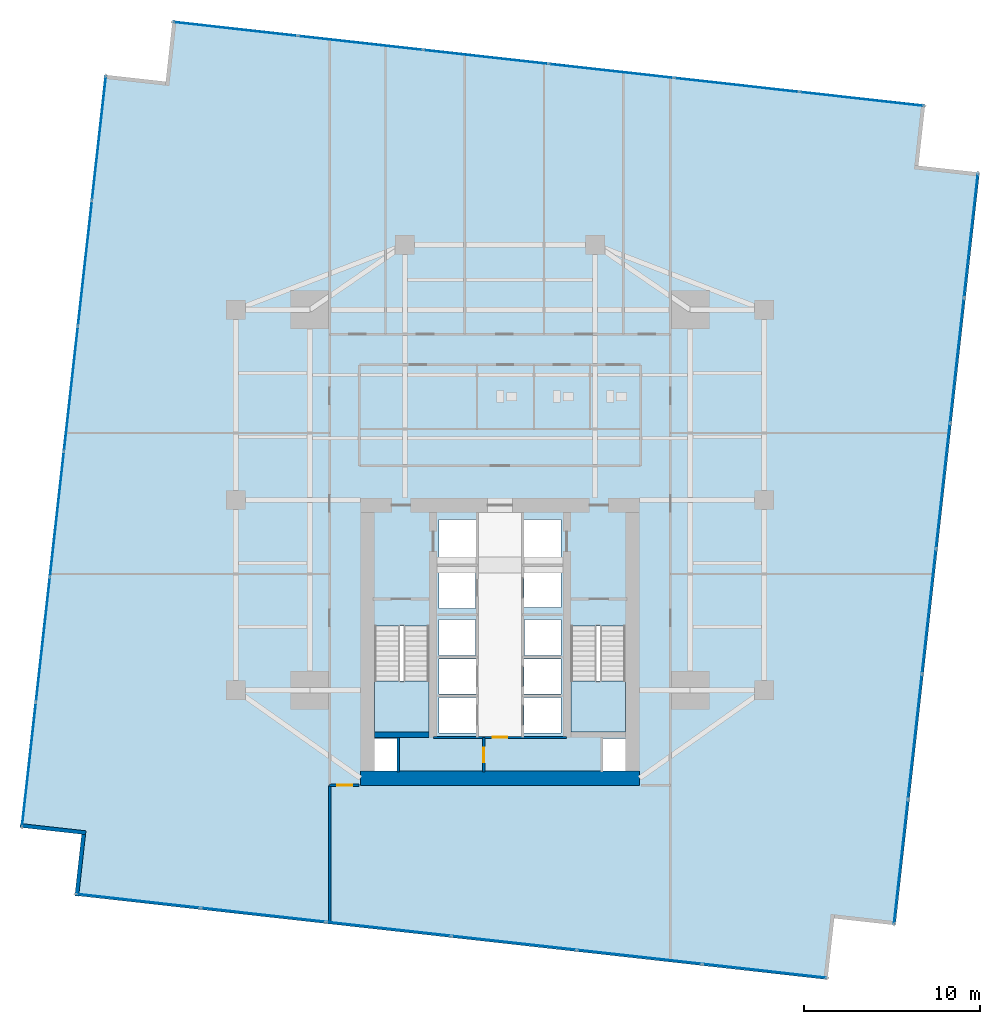
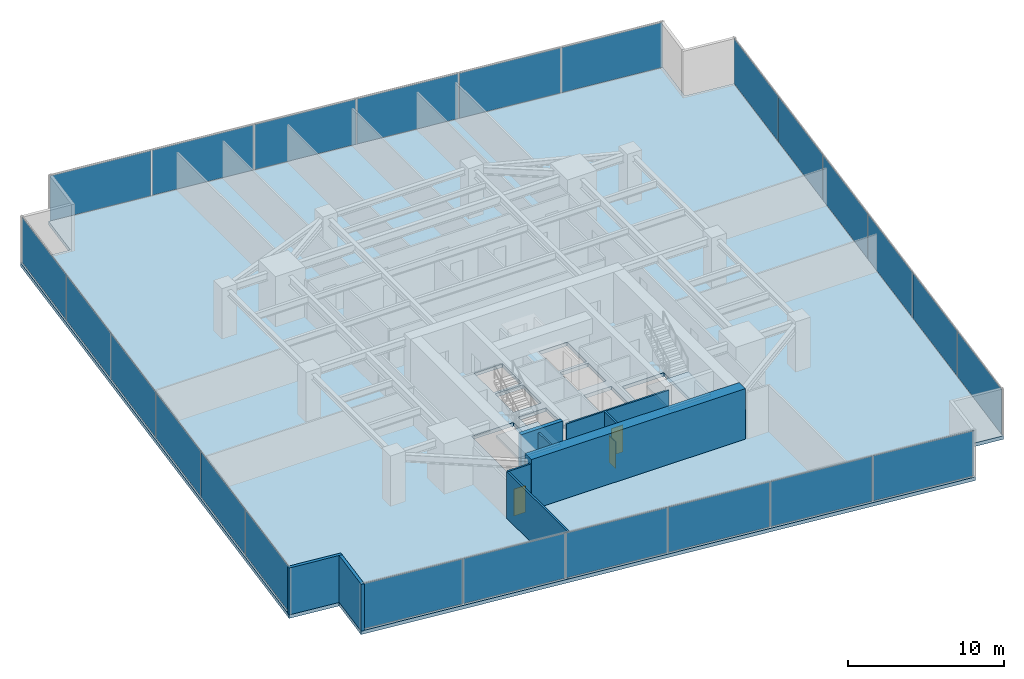
# One storey, part 24 of 28: 24 plates, 9 walls, 3 doors, 3 slabs, 3 openings, 6 elements without a shape of their own.
"""IFC4 building model written with IfcOpenShell, lengths in metres."""

import ifcopenshell
import ifcopenshell.guid

model = None  # the IFC model being written
_history = None  # IfcOwnerHistory: only IFC2X3 demands one
_inside = {}  # id of a spatial element -> (the spatial element, [elements in it])
_under = {}  # id of a project, library or spatial element -> (it, [spatial elements below it])
_declared = {}  # id of a project -> (the project, [libraries it declares])
_typed = {}  # id of a type object -> (the type object, [elements of that type])
_made_of = {}  # id of a material, layer set ... -> (it, [elements and type objects made of it])


def new_model(schema):
    """Start an empty IFC model of exactly this schema.

    Asked for "IFC4X3", IfcOpenShell would pick the latest addendum, in which some entities
    have other attributes; the version numbers below select the first issue.
    IFC2X3 requires an IfcOwnerHistory on every rooted entity: one is made here for all.
    """
    global model, _history
    if schema == "IFC4X3":
        model = ifcopenshell.file(schema_version=(4, 3, 0, 0))
    else:
        model = ifcopenshell.file(schema=schema)
    _inside.clear()
    _under.clear()
    _declared.clear()
    _typed.clear()
    _made_of.clear()
    _history = None
    if model.schema == "IFC2X3":
        org = make("IfcOrganization", Name="unknown")
        user = make(
            "IfcPersonAndOrganization",
            ThePerson=make("IfcPerson", FamilyName="unknown"),
            TheOrganization=org,
        )
        app = make(
            "IfcApplication",
            ApplicationDeveloper=org,
            Version="unknown",
            ApplicationFullName="unknown",
            ApplicationIdentifier="unknown",
        )
        _history = make(
            "IfcOwnerHistory",
            OwningUser=user,
            OwningApplication=app,
            ChangeAction="ADDED",
            CreationDate=0,
        )
    return model


def make(cls, **values):
    """One entity of the class cls with the attributes given. An attribute that is None is left unset."""
    return model.create_entity(
        cls, **{name: value for name, value in values.items() if value is not None}
    )


def rooted(cls, **values):
    """An entity with a GlobalId (a new one), such as an element, a storey or a relation."""
    return make(cls, GlobalId=ifcopenshell.guid.new(), OwnerHistory=_history, **values)


def si_unit(unit_type, name, prefix=None):
    """IfcSIUnit, for example si_unit("LENGTHUNIT", "METRE", prefix="MILLI")."""
    return make("IfcSIUnit", UnitType=unit_type, Prefix=prefix, Name=name)


def assignment(units):
    """IfcUnitAssignment: the units of a project."""
    return None if units is None else make("IfcUnitAssignment", Units=units)


def point(xyz):
    """IfcCartesianPoint."""
    return None if xyz is None else make("IfcCartesianPoint", Coordinates=xyz)


def direction(xyz):
    """IfcDirection."""
    return None if xyz is None else make("IfcDirection", DirectionRatios=xyz)


def frame(location, z_axis=None, x_axis=None):
    """IfcAxis2Placement3D, a coordinate frame: its origin and axes. An axis left out is left unset."""
    return make(
        "IfcAxis2Placement3D",
        Location=point(location),
        Axis=direction(z_axis),
        RefDirection=direction(x_axis),
    )


def frame_2d(location, x_axis=None):
    """IfcAxis2Placement2D, a coordinate frame in the plane: its origin and x axis."""
    return make(
        "IfcAxis2Placement2D", Location=point(location), RefDirection=direction(x_axis)
    )


def origin():
    """The frame at (0, 0, 0) with its axes left unset."""
    return frame((0.0, 0.0, 0.0))


def origin_2d():
    """The frame at (0, 0) in the plane with its x axis left unset."""
    return frame_2d((0.0, 0.0))


def place(relative_to, where):
    """IfcLocalPlacement: puts the frame where relative to a parent placement (None: the world)."""
    return make(
        "IfcLocalPlacement", PlacementRelTo=relative_to, RelativePlacement=where
    )


def context(
    kind, dimensions, precision=None, world=None, true_north=None, identifier=None
):
    """IfcGeometricRepresentationContext, for example the 3D "Model" context."""
    return make(
        "IfcGeometricRepresentationContext",
        ContextIdentifier=identifier,
        ContextType=kind,
        CoordinateSpaceDimension=dimensions,
        Precision=precision,
        WorldCoordinateSystem=world,
        TrueNorth=true_north,
    )


def subcontext(parent, identifier, kind, view, scale=None):
    """IfcGeometricRepresentationSubContext, for example "Body" below "Model"."""
    return make(
        "IfcGeometricRepresentationSubContext",
        ContextIdentifier=identifier,
        ContextType=kind,
        ParentContext=parent,
        TargetScale=scale,
        TargetView=view,
    )


def project(units=None, contexts=None):
    """IfcProject with its units and contexts."""
    return rooted(
        "IfcProject",
        Name="project",
        RepresentationContexts=contexts,
        UnitsInContext=assignment(units),
    )


def spatial(cls, under=None, at=None, **own):
    """A site, building, storey or space (cls), placed at a placement, below another one or the project."""
    s = rooted(cls, ObjectPlacement=at, **own)
    if under is not None:
        _under.setdefault(under.id(), (under, []))[1].append(s)
    return s


def polyline(points):
    """IfcPolyline through the points."""
    return make("IfcPolyline", Points=[point(p) for p in points])


def profile(cls, at=None, kind="AREA", **sizes):
    """A parametric profile (cls). Its sizes go by their IFC names, for example OverallWidth=200.0."""
    return make(cls, ProfileType=kind, Position=at, **sizes)


def rectangle(**sizes):
    """IfcRectangleProfileDef."""
    return profile("IfcRectangleProfileDef", **sizes)


def outline(outer, holes=None, kind="AREA"):
    """IfcArbitraryClosedProfileDef: a profile drawn as a closed curve; with holes, ...WithVoids."""
    if holes is None:
        return make("IfcArbitraryClosedProfileDef", ProfileType=kind, OuterCurve=outer)
    return make(
        "IfcArbitraryProfileDefWithVoids",
        ProfileType=kind,
        OuterCurve=outer,
        InnerCurves=holes,
    )


def extrude(swept, where, along, depth):
    """IfcExtrudedAreaSolid: the profile swept, set in the frame where, extruded along a direction by depth."""
    return make(
        "IfcExtrudedAreaSolid",
        SweptArea=swept,
        Position=where,
        ExtrudedDirection=direction(along),
        Depth=depth,
    )


def shape(context_of_items, identifier, shape_type, items):
    """IfcShapeRepresentation: the items that make up one representation, for example the "Body"."""
    return make(
        "IfcShapeRepresentation",
        ContextOfItems=context_of_items,
        RepresentationIdentifier=identifier,
        RepresentationType=shape_type,
        Items=items,
    )


def source(mapping_origin, context_of_items, identifier, shape_type, items):
    """IfcRepresentationMap: a shape defined once, which mapped items show again and again."""
    return make(
        "IfcRepresentationMap",
        MappingOrigin=mapping_origin,
        MappedRepresentation=shape(context_of_items, identifier, shape_type, items),
    )


def transform(
    local_origin,
    x_axis=None,
    y_axis=None,
    z_axis=None,
    scale=None,
    scale2=None,
    scale3=None,
    uniform=True,
):
    """IfcCartesianTransformationOperator3D, or its non-uniform kind. x_axis, y_axis, z_axis: its Axis1, 2, 3."""
    if uniform:
        return make(
            "IfcCartesianTransformationOperator3D",
            Axis1=direction(x_axis),
            Axis2=direction(y_axis),
            LocalOrigin=point(local_origin),
            Scale=scale,
            Axis3=direction(z_axis),
        )
    return make(
        "IfcCartesianTransformationOperator3DnonUniform",
        Axis1=direction(x_axis),
        Axis2=direction(y_axis),
        LocalOrigin=point(local_origin),
        Scale=scale,
        Axis3=direction(z_axis),
        Scale2=scale2,
        Scale3=scale3,
    )


def mapped(mapping_source, mapping_target):
    """IfcMappedItem: shows the shape of a source again, moved by a transform."""
    return make(
        "IfcMappedItem", MappingSource=mapping_source, MappingTarget=mapping_target
    )


def material(Name=None, Category=None):
    """IfcMaterial."""
    return make("IfcMaterial", Name=Name, Category=Category)


def layer(
    of_material, thickness, ventilated=None, Name=None, Category=None, Priority=None
):
    """IfcMaterialLayer: one layer of a wall or slab, of a material (None: an air gap)."""
    return make(
        "IfcMaterialLayer",
        Material=of_material,
        LayerThickness=thickness,
        IsVentilated=ventilated,
        Name=Name,
        Category=Category,
        Priority=Priority,
    )


def layer_set(layers, Name=None):
    """IfcMaterialLayerSet."""
    return make("IfcMaterialLayerSet", MaterialLayers=layers, LayerSetName=Name)


def made_of(thing, what):
    """Note that an element or type object is made of a material, layer set ...; save() writes the relation."""
    if what is not None:
        _made_of.setdefault(what.id(), (what, []))[1].append(thing)
    return thing


def type_object(cls, material=None, **own):
    """A type object (cls), such as IfcWallType, which elements share."""
    return made_of(rooted(cls, **own), material)


def type_shapes(of_type, sources):
    """Give a type object the sources (RepresentationMaps) that its elements show as mapped items."""
    of_type.RepresentationMaps = sources


def element(
    cls,
    number,
    at=None,
    inside=None,
    cuts=None,
    type_object=None,
    material=None,
    context=None,
    identifier="Body",
    shape_type=None,
    held_by="IfcProductDefinitionShape",
    body=None,
    shapes=None,
    **own,
):
    """One element of the class cls, such as IfcWall. Its Tag is "e" and its number.

    at: its placement. inside: the storey or other place that contains it. cuts: it is an
    opening in that element (IfcRelVoidsElement). A single representation is given by context,
    identifier, shape_type and body (its items); several are given by shapes. held_by: the class
    of the entity that holds the representations. save() writes the other relations.
    """
    e = rooted(cls, Tag="e%d" % number, ObjectPlacement=at, **own)
    if body is not None:
        shapes = [shape(context, identifier, shape_type, body)]
    if shapes is not None:
        e.Representation = make(held_by, Representations=shapes)
    if inside is not None:
        _inside.setdefault(inside.id(), (inside, []))[1].append(e)
    if cuts is not None:
        rooted(
            "IfcRelVoidsElement", RelatingBuildingElement=cuts, RelatedOpeningElement=e
        )
    if type_object is not None:
        _typed.setdefault(type_object.id(), (type_object, []))[1].append(e)
    return made_of(e, material)


def fill(opening, filler):
    """IfcRelFillsElement: the door or window that sits in an opening."""
    return rooted(
        "IfcRelFillsElement",
        RelatingOpeningElement=opening,
        RelatedBuildingElement=filler,
    )


def aggregate(whole, parts):
    """IfcRelAggregates: a whole, such as a stair, and the parts it consists of."""
    return rooted("IfcRelAggregates", RelatingObject=whole, RelatedObjects=parts)


def save(model, path):
    """Write the relations noted so far, then the file.

    IfcRelAggregates (storeys below a building ...), IfcRelContainedInSpatialStructure (elements
    in a storey), IfcRelDefinesByType, IfcRelAssociatesMaterial and IfcRelDeclares: one each for
    every whole, place, type object, material and project.
    """
    for whole, parts in _under.values():
        aggregate(whole, parts)
    for where, things in _inside.values():
        rooted(
            "IfcRelContainedInSpatialStructure",
            RelatedElements=things,
            RelatingStructure=where,
        )
    for kind, things in _typed.values():
        rooted("IfcRelDefinesByType", RelatedObjects=things, RelatingType=kind)
    for what, things in _made_of.values():
        rooted("IfcRelAssociatesMaterial", RelatedObjects=things, RelatingMaterial=what)
    for by, libraries in _declared.values():
        rooted("IfcRelDeclares", RelatingContext=by, RelatedDefinitions=libraries)
    model.write(path)


model = new_model("IFC4")

# Units and contexts
model_context = context("Model", 3, precision=1e-05, world=origin(), true_north=direction((0.0, 1.0)))
body_context = subcontext(model_context, "Body", "Model", "MODEL_VIEW")
ifc_project = project(units=[si_unit("LENGTHUNIT", "METRE"), si_unit("AREAUNIT", "SQUARE_METRE"), si_unit("VOLUMEUNIT", "CUBIC_METRE"), si_unit("PLANEANGLEUNIT", "RADIAN"), si_unit("MASSUNIT", "GRAM", prefix="KILO")], contexts=[model_context])

# Site, building, storey
site_placement = place(None, origin())
site = spatial("IfcSite", under=ifc_project, at=site_placement, CompositionType="ELEMENT")
building_placement = place(site_placement, origin())
building = spatial("IfcBuilding", under=site, at=building_placement, Name="Krantzveldt Concourse Tower", CompositionType="ELEMENT")
storey_placement = place(building_placement, frame((0.0, 0.0, 64.5)))
storey = spatial("IfcBuildingStorey", under=building, at=storey_placement, Name="L15", CompositionType="ELEMENT", Elevation=64.5)

# Stair, slab
ifc_material_1 = material(Name="Precast concrete C40/50", Category="concrete")
stair_type = type_object("IfcStairType", Name="STR-CORE-DOGLEG", PredefinedType="HALF_TURN_STAIR", material=ifc_material_1)
stair_1_placement = place(storey_placement, origin())
stair_1 = element("IfcStair", 1, at=stair_1_placement, inside=storey, type_object=stair_type, Name="L15 Protected Escape Stair ST-1", PredefinedType="HALF_TURN_STAIR")
ifc_layer_1 = layer(ifc_material_1, 0.199951171875, Name="Precast concrete C40/50", Category="concrete")
ifc_layer_set_1 = layer_set([ifc_layer_1], Name="Precast concrete C40/50 (SL-LANDING-200)")
slab_type_1 = type_object("IfcSlabType", Name="SL-LANDING-200", PredefinedType="LANDING", material=ifc_layer_set_1)
slab_1_placement = place(storey_placement, frame((0.0, 0.0, 1.77490234375)))
slab_1 = element("IfcSlab", 2, at=slab_1_placement, type_object=slab_type_1, Name="ST-1 landing 1", PredefinedType="LANDING", context=body_context, shape_type="SweptSolid", body=[
    extrude(outline(polyline([(28.8798828125, 16.4150390625), (28.8798828125, 13.52001953125), (31.97998046875, 13.52001953125), (31.97998046875, 16.4150390625), (28.8798828125, 16.4150390625)])), origin(), (0.0, 0.0, 1.0), 0.2001953125),
])
aggregate(stair_1, [slab_1])

stair_2_placement = place(storey_placement, origin())
stair_2 = element("IfcStair", 3, at=stair_2_placement, inside=storey, type_object=stair_type, Name="L15 Protected Escape Stair ST-2", PredefinedType="HALF_TURN_STAIR")
slab_2_placement = place(storey_placement, frame((0.0, 0.0, 1.77490234375)))
slab_2 = element("IfcSlab", 4, at=slab_2_placement, type_object=slab_type_1, Name="ST-2 landing 1", PredefinedType="LANDING", context=body_context, shape_type="SweptSolid", body=[
    extrude(outline(polyline([(40.02001953125, 16.4150390625), (40.02001953125, 13.52001953125), (43.1201171875, 13.52001953125), (43.1201171875, 16.4150390625), (40.02001953125, 16.4150390625)])), origin(), (0.0, 0.0, 1.0), 0.2001953125),
])
aggregate(stair_2, [slab_2])

# Slab
ifc_material_2 = material(Name="Concrete C40/50", Category="concrete")
ifc_layer_2 = layer(ifc_material_2, 0.280029296875, Name="Concrete C40/50", Category="concrete")
ifc_layer_set_2 = layer_set([ifc_layer_2], Name="Concrete C40/50 (SL-SL-TWR280)")
slab_type_2 = type_object("IfcSlabType", Name="SL-SL-TWR280", PredefinedType="FLOOR", material=ifc_layer_set_2)
slab_3_placement = place(storey_placement, frame((0.0, 0.0, -0.280029296875)))
element("IfcSlab", 5, at=slab_3_placement, inside=storey, type_object=slab_type_2, Name="SL-L15-MAIN", PredefinedType="FLOOR", context=body_context, shape_type="SweptSolid", body=[
    extrude(outline(polyline([(17.020263671875, 50.454345703125), (13.541748046875, 50.843017578125), (8.767333984375, 8.10888671875), (12.24560546875, 7.72021484375), (11.857177734375, 4.241943359375), (54.591064453125, -0.53271484375), (54.979736328125, 2.94580078125), (58.458251953125, 2.55712890625), (63.232666015625, 45.291259765625), (59.75439453125, 45.6796875), (60.142822265625, 49.158203125), (17.408935546875, 53.9326171875), (17.020263671875, 50.454345703125)]), holes=[polyline([(28.8798828125, 19.547607421875), (28.8798828125, 13.52001953125), (31.97998046875, 13.52001953125), (31.97998046875, 19.547607421875), (28.8798828125, 19.547607421875)]), polyline([(40.02001953125, 19.547607421875), (40.02001953125, 13.52001953125), (43.1201171875, 13.52001953125), (43.1201171875, 19.547607421875), (40.02001953125, 19.547607421875)]), polyline([(32.550048828125, 23.10009765625), (34.64990234375, 23.10009765625), (34.64990234375, 25.60009765625), (32.550048828125, 25.60009765625), (32.550048828125, 23.10009765625)]), polyline([(37.35009765625, 23.10009765625), (39.449951171875, 23.10009765625), (39.449951171875, 25.60009765625), (37.35009765625, 25.60009765625), (37.35009765625, 23.10009765625)]), polyline([(37.35009765625, 20.60009765625), (39.449951171875, 20.60009765625), (39.449951171875, 22.89990234375), (37.35009765625, 22.89990234375), (37.35009765625, 20.60009765625)]), polyline([(32.550048828125, 13.47998046875), (34.64990234375, 13.47998046875), (34.64990234375, 15.47998046875), (32.550048828125, 15.47998046875), (32.550048828125, 13.47998046875)]), polyline([(32.550048828125, 15.679931640625), (34.64990234375, 15.679931640625), (34.64990234375, 17.679931640625), (32.550048828125, 17.679931640625), (32.550048828125, 15.679931640625)]), polyline([(37.35009765625, 13.47998046875), (39.449951171875, 13.47998046875), (39.449951171875, 15.47998046875), (37.35009765625, 15.47998046875), (37.35009765625, 13.47998046875)]), polyline([(37.35009765625, 15.679931640625), (39.449951171875, 15.679931640625), (39.449951171875, 17.679931640625), (37.35009765625, 17.679931640625), (37.35009765625, 15.679931640625)]), polyline([(32.550048828125, 20.550048828125), (34.6201171875, 20.550048828125), (34.6201171875, 22.89990234375), (32.550048828125, 22.89990234375), (32.550048828125, 20.550048828125)]), polyline([(32.550048828125, 17.8798828125), (34.6201171875, 17.8798828125), (34.6201171875, 19.919921875), (32.550048828125, 19.919921875), (32.550048828125, 17.8798828125)]), polyline([(37.3798828125, 17.8798828125), (39.449951171875, 17.8798828125), (39.449951171875, 19.919921875), (37.3798828125, 19.919921875), (37.3798828125, 17.8798828125)]), polyline([(28.8798828125, 11.320068359375), (30.139892578125, 11.320068359375), (30.139892578125, 13.159912109375), (28.8798828125, 13.159912109375), (28.8798828125, 11.320068359375)]), polyline([(41.860107421875, 11.320068359375), (43.1201171875, 11.320068359375), (43.1201171875, 13.159912109375), (41.860107421875, 13.159912109375), (41.860107421875, 11.320068359375)])]), origin(), (0.0, 0.0, 1.0), 0.280029296875),
])

# Curtain wall, plates
ifc_material_3 = material(Name="Anodised aluminium 6063-T6", Category="aluminium")
curtain_wall_type = type_object("IfcCurtainWallType", Name="CW2", PredefinedType="USERDEFINED", material=ifc_material_3)
curtain_wall_1_placement = place(storey_placement, origin())
curtain_wall_1 = element("IfcCurtainWall", 6, at=curtain_wall_1_placement, inside=storey, type_object=curtain_wall_type, Name="CW-L15-F01", ObjectType="UNITISED CURTAIN WALL", PredefinedType="USERDEFINED")
ifc_material_4 = material(Name="Bronze-tinted laminated low-E IGU glass", Category="glass")
ifc_layer_3 = layer(ifc_material_4, 0.031982421875, Name="Bronze-tinted laminated low-E IGU glass", Category="glass")
ifc_layer_set_3 = layer_set([ifc_layer_3], Name="Bronze-tinted laminated low-E IGU glass (CW-GLZ-32)")
plate_type = type_object("IfcPlateType", Name="CW-GLZ-32", PredefinedType="CURTAIN_PANEL", material=ifc_layer_set_3)
shared_shape_1 = source(origin(), body_context, "Body", "SweptSolid", [
    extrude(rectangle(XDim=7.061767578125, YDim=0.031982421875, at=origin_2d()), origin(), (0.0, 0.0, 1.0), 3.530029296875),
])
plate_1_placement = place(storey_placement, frame((13.2314453125, 47.25439453125, 0.06982421875), z_axis=(0.0, 0.0, 1.0), x_axis=(-0.111035342863, -0.993816458223, 0.0)))
plate_1 = element("IfcPlate", 7, at=plate_1_placement, type_object=plate_type, Name="CW-Z12 panel 1.1", PredefinedType="CURTAIN_PANEL", context=body_context, shape_type="MappedRepresentation", body=[
    mapped(shared_shape_1, transform((0.0, 0.0, 0.0), x_axis=(1.0, 0.0, 0.0), y_axis=(0.0, 1.0, 0.0), z_axis=(0.0, 0.0, 1.0), scale=1.0)),
])
plate_2_placement = place(storey_placement, frame((9.256591796875, 11.677490234375, 0.06982421875), z_axis=(0.0, 0.0, 1.0), x_axis=(-0.111035342863, -0.993816458223, 0.0)))
plate_2 = element("IfcPlate", 8, at=plate_2_placement, type_object=plate_type, Name="CW-Z12 panel 6.1", PredefinedType="CURTAIN_PANEL", context=body_context, shape_type="MappedRepresentation", body=[
    mapped(shared_shape_1, transform((0.0, 0.0, 0.0), x_axis=(1.0, 0.0, 0.0), y_axis=(0.0, 1.0, 0.0), z_axis=(0.0, 0.0, 1.0), scale=1.0)),
])

curtain_wall_2_placement = place(storey_placement, origin())
curtain_wall_2 = element("IfcCurtainWall", 9, at=curtain_wall_2_placement, inside=storey, type_object=curtain_wall_type, Name="CW-L15-F04", ObjectType="UNITISED CURTAIN WALL", PredefinedType="USERDEFINED")
plate_3_placement = place(storey_placement, frame((15.445556640625, 3.931396484375, 0.06982421875), z_axis=(0.0, 0.0, 1.0), x_axis=(0.993816458223, -0.111035342863, 0.0)))
plate_3 = element("IfcPlate", 10, at=plate_3_placement, type_object=plate_type, Name="CW-Z12 panel 1.1", PredefinedType="CURTAIN_PANEL", context=body_context, shape_type="MappedRepresentation", body=[
    mapped(shared_shape_1, transform((0.0, 0.0, 0.0), x_axis=(1.0, 0.0, 0.0), y_axis=(0.0, 1.0, 0.0), z_axis=(0.0, 0.0, 1.0), scale=1.0)),
])
plate_4_placement = place(storey_placement, frame((51.022705078125, -0.04345703125, 0.06982421875), z_axis=(0.0, 0.0, 1.0), x_axis=(0.993816458223, -0.111035342863, 0.0)))
plate_4 = element("IfcPlate", 11, at=plate_4_placement, type_object=plate_type, Name="CW-Z12 panel 6.1", PredefinedType="CURTAIN_PANEL", context=body_context, shape_type="MappedRepresentation", body=[
    mapped(shared_shape_1, transform((0.0, 0.0, 0.0), x_axis=(1.0, 0.0, 0.0), y_axis=(0.0, 1.0, 0.0), z_axis=(0.0, 0.0, 1.0), scale=1.0)),
])

curtain_wall_3_placement = place(storey_placement, origin())
curtain_wall_3 = element("IfcCurtainWall", 12, at=curtain_wall_3_placement, inside=storey, type_object=curtain_wall_type, Name="CW-L15-F07", ObjectType="UNITISED CURTAIN WALL", PredefinedType="USERDEFINED")
plate_5_placement = place(storey_placement, frame((58.7685546875, 6.1455078125, 0.06982421875), z_axis=(0.0, 0.0, 1.0), x_axis=(0.111035342863, 0.993816458223, 0.0)))
plate_5 = element("IfcPlate", 13, at=plate_5_placement, type_object=plate_type, Name="CW-Z12 panel 1.1", PredefinedType="CURTAIN_PANEL", context=body_context, shape_type="MappedRepresentation", body=[
    mapped(shared_shape_1, transform((0.0, 0.0, 0.0), x_axis=(1.0, 0.0, 0.0), y_axis=(0.0, 1.0, 0.0), z_axis=(0.0, 0.0, 1.0), scale=1.0)),
])
plate_6_placement = place(storey_placement, frame((62.743408203125, 41.72265625, 0.06982421875), z_axis=(0.0, 0.0, 1.0), x_axis=(0.111035342863, 0.993816458223, 0.0)))
plate_6 = element("IfcPlate", 14, at=plate_6_placement, type_object=plate_type, Name="CW-Z12 panel 6.1", PredefinedType="CURTAIN_PANEL", context=body_context, shape_type="MappedRepresentation", body=[
    mapped(shared_shape_1, transform((0.0, 0.0, 0.0), x_axis=(1.0, 0.0, 0.0), y_axis=(0.0, 1.0, 0.0), z_axis=(0.0, 0.0, 1.0), scale=1.0)),
])

curtain_wall_4_placement = place(storey_placement, origin())
curtain_wall_4 = element("IfcCurtainWall", 15, at=curtain_wall_4_placement, inside=storey, type_object=curtain_wall_type, Name="CW-L15-F10", ObjectType="UNITISED CURTAIN WALL", PredefinedType="USERDEFINED")
plate_7_placement = place(storey_placement, frame((56.554443359375, 49.468505859375, 0.06982421875), z_axis=(0.0, 0.0, 1.0), x_axis=(-0.993816458223, 0.111035342863, 0.0)))
plate_7 = element("IfcPlate", 16, at=plate_7_placement, type_object=plate_type, Name="CW-Z12 panel 1.1", PredefinedType="CURTAIN_PANEL", context=body_context, shape_type="MappedRepresentation", body=[
    mapped(shared_shape_1, transform((0.0, 0.0, 0.0), x_axis=(1.0, 0.0, 0.0), y_axis=(0.0, 1.0, 0.0), z_axis=(0.0, 0.0, 1.0), scale=1.0)),
])
plate_8_placement = place(storey_placement, frame((20.977294921875, 53.443359375, 0.06982421875), z_axis=(0.0, 0.0, 1.0), x_axis=(-0.993816458223, 0.111035342863, 0.0)))
plate_8 = element("IfcPlate", 17, at=plate_8_placement, type_object=plate_type, Name="CW-Z12 panel 6.1", PredefinedType="CURTAIN_PANEL", context=body_context, shape_type="MappedRepresentation", body=[
    mapped(shared_shape_1, transform((0.0, 0.0, 0.0), x_axis=(1.0, 0.0, 0.0), y_axis=(0.0, 1.0, 0.0), z_axis=(0.0, 0.0, 1.0), scale=1.0)),
])

# Plate
shared_shape_2 = source(origin(), body_context, "Body", "SweptSolid", [
    extrude(rectangle(XDim=7.0966796875, YDim=0.031982421875, at=origin_2d()), origin(), (0.0, 0.0, 1.0), 3.530029296875),
])
type_shapes(plate_type, [shared_shape_1, shared_shape_2])
plate_9_placement = place(storey_placement, frame((12.437744140625, 40.1494140625, 0.06982421875), z_axis=(0.0, 0.0, 1.0), x_axis=(-0.111035342863, -0.993816458223, 0.0)))
plate_9 = element("IfcPlate", 18, at=plate_9_placement, type_object=plate_type, Name="CW-Z12 panel 2.1", PredefinedType="CURTAIN_PANEL", context=body_context, shape_type="MappedRepresentation", body=[
    mapped(shared_shape_2, transform((0.0, 0.0, 0.0), x_axis=(1.0, 0.0, 0.0), y_axis=(0.0, 1.0, 0.0), z_axis=(0.0, 0.0, 1.0), scale=1.0)),
])

plate_10_placement = place(storey_placement, frame((11.641845703125, 33.027099609375, 0.06982421875), z_axis=(0.0, 0.0, 1.0), x_axis=(-0.111035342863, -0.993816458223, 0.0)))
plate_10 = element("IfcPlate", 19, at=plate_10_placement, type_object=plate_type, Name="CW-Z12 panel 3.1", PredefinedType="CURTAIN_PANEL", context=body_context, shape_type="MappedRepresentation", body=[
    mapped(shared_shape_2, transform((0.0, 0.0, 0.0), x_axis=(1.0, 0.0, 0.0), y_axis=(0.0, 1.0, 0.0), z_axis=(0.0, 0.0, 1.0), scale=1.0)),
])

plate_11_placement = place(storey_placement, frame((10.84619140625, 25.90478515625, 0.06982421875), z_axis=(0.0, 0.0, 1.0), x_axis=(-0.111035342863, -0.993816458223, 0.0)))
plate_11 = element("IfcPlate", 20, at=plate_11_placement, type_object=plate_type, Name="CW-Z12 panel 4.1", PredefinedType="CURTAIN_PANEL", context=body_context, shape_type="MappedRepresentation", body=[
    mapped(shared_shape_2, transform((0.0, 0.0, 0.0), x_axis=(1.0, 0.0, 0.0), y_axis=(0.0, 1.0, 0.0), z_axis=(0.0, 0.0, 1.0), scale=1.0)),
])

plate_12_placement = place(storey_placement, frame((10.05029296875, 18.782470703125, 0.06982421875), z_axis=(0.0, 0.0, 1.0), x_axis=(-0.111035342863, -0.993816458223, 0.0)))
plate_12 = element("IfcPlate", 21, at=plate_12_placement, type_object=plate_type, Name="CW-Z12 panel 5.1", PredefinedType="CURTAIN_PANEL", context=body_context, shape_type="MappedRepresentation", body=[
    mapped(shared_shape_2, transform((0.0, 0.0, 0.0), x_axis=(1.0, 0.0, 0.0), y_axis=(0.0, 1.0, 0.0), z_axis=(0.0, 0.0, 1.0), scale=1.0)),
])

aggregate(curtain_wall_1, [plate_1, plate_9, plate_10, plate_11, plate_12, plate_2])

plate_13_placement = place(storey_placement, frame((22.550537109375, 3.1376953125, 0.06982421875), z_axis=(0.0, 0.0, 1.0), x_axis=(0.993816458223, -0.111035342863, 0.0)))
plate_13 = element("IfcPlate", 22, at=plate_13_placement, type_object=plate_type, Name="CW-Z12 panel 2.1", PredefinedType="CURTAIN_PANEL", context=body_context, shape_type="MappedRepresentation", body=[
    mapped(shared_shape_2, transform((0.0, 0.0, 0.0), x_axis=(1.0, 0.0, 0.0), y_axis=(0.0, 1.0, 0.0), z_axis=(0.0, 0.0, 1.0), scale=1.0)),
])

plate_14_placement = place(storey_placement, frame((29.6728515625, 2.341796875, 0.06982421875), z_axis=(0.0, 0.0, 1.0), x_axis=(0.993816458223, -0.111035342863, 0.0)))
plate_14 = element("IfcPlate", 23, at=plate_14_placement, type_object=plate_type, Name="CW-Z12 panel 3.1", PredefinedType="CURTAIN_PANEL", context=body_context, shape_type="MappedRepresentation", body=[
    mapped(shared_shape_2, transform((0.0, 0.0, 0.0), x_axis=(1.0, 0.0, 0.0), y_axis=(0.0, 1.0, 0.0), z_axis=(0.0, 0.0, 1.0), scale=1.0)),
])

plate_15_placement = place(storey_placement, frame((36.795166015625, 1.546142578125, 0.06982421875), z_axis=(0.0, 0.0, 1.0), x_axis=(0.993816458223, -0.111035342863, 0.0)))
plate_15 = element("IfcPlate", 24, at=plate_15_placement, type_object=plate_type, Name="CW-Z12 panel 4.1", PredefinedType="CURTAIN_PANEL", context=body_context, shape_type="MappedRepresentation", body=[
    mapped(shared_shape_2, transform((0.0, 0.0, 0.0), x_axis=(1.0, 0.0, 0.0), y_axis=(0.0, 1.0, 0.0), z_axis=(0.0, 0.0, 1.0), scale=1.0)),
])

plate_16_placement = place(storey_placement, frame((43.917724609375, 0.75048828125, 0.06982421875), z_axis=(0.0, 0.0, 1.0), x_axis=(0.993816458223, -0.111035342863, 0.0)))
plate_16 = element("IfcPlate", 25, at=plate_16_placement, type_object=plate_type, Name="CW-Z12 panel 5.1", PredefinedType="CURTAIN_PANEL", context=body_context, shape_type="MappedRepresentation", body=[
    mapped(shared_shape_2, transform((0.0, 0.0, 0.0), x_axis=(1.0, 0.0, 0.0), y_axis=(0.0, 1.0, 0.0), z_axis=(0.0, 0.0, 1.0), scale=1.0)),
])

aggregate(curtain_wall_2, [plate_3, plate_13, plate_14, plate_15, plate_16, plate_4])

plate_17_placement = place(storey_placement, frame((59.562255859375, 13.25048828125, 0.06982421875), z_axis=(0.0, 0.0, 1.0), x_axis=(0.111035342863, 0.993816458223, 0.0)))
plate_17 = element("IfcPlate", 26, at=plate_17_placement, type_object=plate_type, Name="CW-Z12 panel 2.1", PredefinedType="CURTAIN_PANEL", context=body_context, shape_type="MappedRepresentation", body=[
    mapped(shared_shape_2, transform((0.0, 0.0, 0.0), x_axis=(1.0, 0.0, 0.0), y_axis=(0.0, 1.0, 0.0), z_axis=(0.0, 0.0, 1.0), scale=1.0)),
])

plate_18_placement = place(storey_placement, frame((60.358154296875, 20.373046875, 0.06982421875), z_axis=(0.0, 0.0, 1.0), x_axis=(0.111035342863, 0.993816458223, 0.0)))
plate_18 = element("IfcPlate", 27, at=plate_18_placement, type_object=plate_type, Name="CW-Z12 panel 3.1", PredefinedType="CURTAIN_PANEL", context=body_context, shape_type="MappedRepresentation", body=[
    mapped(shared_shape_2, transform((0.0, 0.0, 0.0), x_axis=(1.0, 0.0, 0.0), y_axis=(0.0, 1.0, 0.0), z_axis=(0.0, 0.0, 1.0), scale=1.0)),
])

plate_19_placement = place(storey_placement, frame((61.15380859375, 27.495361328125, 0.06982421875), z_axis=(0.0, 0.0, 1.0), x_axis=(0.111035342863, 0.993816458223, 0.0)))
plate_19 = element("IfcPlate", 28, at=plate_19_placement, type_object=plate_type, Name="CW-Z12 panel 4.1", PredefinedType="CURTAIN_PANEL", context=body_context, shape_type="MappedRepresentation", body=[
    mapped(shared_shape_2, transform((0.0, 0.0, 0.0), x_axis=(1.0, 0.0, 0.0), y_axis=(0.0, 1.0, 0.0), z_axis=(0.0, 0.0, 1.0), scale=1.0)),
])

plate_20_placement = place(storey_placement, frame((61.94970703125, 34.61767578125, 0.06982421875), z_axis=(0.0, 0.0, 1.0), x_axis=(0.111035342863, 0.993816458223, 0.0)))
plate_20 = element("IfcPlate", 29, at=plate_20_placement, type_object=plate_type, Name="CW-Z12 panel 5.1", PredefinedType="CURTAIN_PANEL", context=body_context, shape_type="MappedRepresentation", body=[
    mapped(shared_shape_2, transform((0.0, 0.0, 0.0), x_axis=(1.0, 0.0, 0.0), y_axis=(0.0, 1.0, 0.0), z_axis=(0.0, 0.0, 1.0), scale=1.0)),
])

aggregate(curtain_wall_3, [plate_5, plate_17, plate_18, plate_19, plate_20, plate_6])

plate_21_placement = place(storey_placement, frame((49.449462890625, 50.262451171875, 0.06982421875), z_axis=(0.0, 0.0, 1.0), x_axis=(-0.993816458223, 0.111035342863, 0.0)))
plate_21 = element("IfcPlate", 30, at=plate_21_placement, type_object=plate_type, Name="CW-Z12 panel 2.1", PredefinedType="CURTAIN_PANEL", context=body_context, shape_type="MappedRepresentation", body=[
    mapped(shared_shape_2, transform((0.0, 0.0, 0.0), x_axis=(1.0, 0.0, 0.0), y_axis=(0.0, 1.0, 0.0), z_axis=(0.0, 0.0, 1.0), scale=1.0)),
])

plate_22_placement = place(storey_placement, frame((42.3271484375, 51.05810546875, 0.06982421875), z_axis=(0.0, 0.0, 1.0), x_axis=(-0.993816458223, 0.111035342863, 0.0)))
plate_22 = element("IfcPlate", 31, at=plate_22_placement, type_object=plate_type, Name="CW-Z12 panel 3.1", PredefinedType="CURTAIN_PANEL", context=body_context, shape_type="MappedRepresentation", body=[
    mapped(shared_shape_2, transform((0.0, 0.0, 0.0), x_axis=(1.0, 0.0, 0.0), y_axis=(0.0, 1.0, 0.0), z_axis=(0.0, 0.0, 1.0), scale=1.0)),
])

plate_23_placement = place(storey_placement, frame((35.204833984375, 51.853759765625, 0.06982421875), z_axis=(0.0, 0.0, 1.0), x_axis=(-0.993816458223, 0.111035342863, 0.0)))
plate_23 = element("IfcPlate", 32, at=plate_23_placement, type_object=plate_type, Name="CW-Z12 panel 4.1", PredefinedType="CURTAIN_PANEL", context=body_context, shape_type="MappedRepresentation", body=[
    mapped(shared_shape_2, transform((0.0, 0.0, 0.0), x_axis=(1.0, 0.0, 0.0), y_axis=(0.0, 1.0, 0.0), z_axis=(0.0, 0.0, 1.0), scale=1.0)),
])

plate_24_placement = place(storey_placement, frame((28.082275390625, 52.649658203125, 0.06982421875), z_axis=(0.0, 0.0, 1.0), x_axis=(-0.993816458223, 0.111035342863, 0.0)))
plate_24 = element("IfcPlate", 33, at=plate_24_placement, type_object=plate_type, Name="CW-Z12 panel 5.1", PredefinedType="CURTAIN_PANEL", context=body_context, shape_type="MappedRepresentation", body=[
    mapped(shared_shape_2, transform((0.0, 0.0, 0.0), x_axis=(1.0, 0.0, 0.0), y_axis=(0.0, 1.0, 0.0), z_axis=(0.0, 0.0, 1.0), scale=1.0)),
])

aggregate(curtain_wall_4, [plate_7, plate_21, plate_22, plate_23, plate_24, plate_8])

# Walls
ifc_layer_4 = layer(ifc_material_3, 0.219970703125, Name="Anodised aluminium 6063-T6", Category="aluminium")
ifc_layer_set_4 = layer_set([ifc_layer_4], Name="Anodised aluminium 6063-T6 (WL-EXT-NOTCH220)")
wall_type_1 = type_object("IfcWallType", Name="WL-EXT-NOTCH220", PredefinedType="ELEMENTEDWALL", material=ifc_layer_set_4)
wall_1_placement = place(storey_placement, frame((8.754638671875, 8.220947265625, 0.0), z_axis=(0.0, 0.0, 1.0), x_axis=(0.99381837171, -0.111018214957, 0.0)))
element("IfcWall", 34, at=wall_1_placement, inside=storey, type_object=wall_type_1, Name="EW-L15-NCH02", PredefinedType="ELEMENTEDWALL", context=body_context, shape_type="SweptSolid", body=[
    extrude(rectangle(XDim=3.7451171875, YDim=0.219970703125, at=frame_2d((1.87255859375, 0.0))), origin(), (0.0, 0.0, 1.0), 3.669921875),
])
wall_2_placement = place(storey_placement, frame((12.35498046875, 7.7080078125, 0.0), z_axis=(0.0, 0.0, 1.0), x_axis=(-0.111024443135, -0.993817675948, 0.0)))
element("IfcWall", 35, at=wall_2_placement, inside=storey, type_object=wall_type_1, Name="EW-L15-NCH03", PredefinedType="ELEMENTEDWALL", context=body_context, shape_type="SweptSolid", body=[
    extrude(rectangle(XDim=3.52490234375, YDim=0.219970703125, at=frame_2d((1.762451171875, 0.0))), origin(), (0.0, 0.0, 1.0), 3.669921875),
])

# Wall, opening, door
ifc_material_5 = material(Name="Fire-rated gypsum plasterboard on steel stud", Category="steel")
ifc_layer_5 = layer(ifc_material_5, 0.1201171875, Name="Fire-rated gypsum plasterboard on steel stud", Category="steel")
ifc_layer_set_5 = layer_set([ifc_layer_5], Name="Fire-rated gypsum plasterboard on steel stud (WL-PART-120)")
wall_type_2 = type_object("IfcWallType", Name="WL-PART-120", PredefinedType="PARTITIONING", material=ifc_layer_set_5)
wall_3_placement = place(storey_placement, frame((32.2099609375, 13.219970703125, 0.0), z_axis=(0.0, 0.0, 1.0), x_axis=(1.0, 0.0, 0.0)))
wall_3 = element("IfcWall", 36, at=wall_3_placement, inside=storey, type_object=wall_type_2, Name="WP-L15-CS2H", PredefinedType="PARTITIONING", context=body_context, shape_type="SweptSolid", body=[
    extrude(rectangle(XDim=7.580078125, YDim=0.1201171875, at=frame_2d((3.7900390625, 0.0))), origin(), (0.0, 0.0, 1.0), 3.669921875),
])
opening_1_placement = place(wall_3_placement, frame((3.364990234375, 0.0, 0.0)))
opening_1 = element("IfcOpeningElement", 37, at=opening_1_placement, cuts=wall_3, Name="Opening D-IN085", PredefinedType="OPENING", context=body_context, shape_type="SweptSolid", body=[
    extrude(rectangle(XDim=0.85009765625, YDim=2.10009765625, at=frame_2d((0.425048828125, 1.050048828125))), frame((0.0, 0.070068359375, 0.0), z_axis=(0.0, -1.0, 0.0), x_axis=(1.0, 0.0, 0.0)), (0.0, 0.0, 1.0), 0.14013671875),
])
ifc_material_6 = material(Name="Hardwood timber", Category="wood")
door_type = type_object("IfcDoorType", Name="DR-INT-850", OperationType="SINGLE_SWING_LEFT", PredefinedType="DOOR", material=ifc_material_6)
door_1_placement = place(opening_1_placement, origin())
door_1 = element("IfcDoor", 38, at=door_1_placement, inside=storey, type_object=door_type, Name="DR-L15-LLBS", OperationType="SINGLE_SWING_RIGHT", OverallHeight=2.10009765625, OverallWidth=0.85009765625, PredefinedType="DOOR", context=body_context, shape_type="SweptSolid", body=[
    extrude(rectangle(XDim=0.85009765625, YDim=2.10009765625, at=frame_2d((0.425048828125, 1.050048828125))), frame((0.0, 0.02490234375, 0.0), z_axis=(0.0, -1.0, 0.0), x_axis=(1.0, 0.0, 0.0)), (0.0, 0.0, 1.0), 0.050048828125),
])
fill(opening_1, door_1)

wall_4_placement = place(storey_placement, frame((35.080078125, 11.25, 0.0), z_axis=(0.0, 0.0, 1.0), x_axis=(0.0, 1.0, 0.0)))
wall_4 = element("IfcWall", 39, at=wall_4_placement, inside=storey, type_object=wall_type_2, Name="WP-L15-CSA-V", PredefinedType="PARTITIONING", context=body_context, shape_type="SweptSolid", body=[
    extrude(rectangle(XDim=1.969970703125, YDim=0.1201171875, at=frame_2d((0.98486328125, 0.0))), origin(), (0.0, 0.0, 1.0), 3.669921875),
])
opening_2_placement = place(wall_4_placement, frame((0.544921875, 0.0, 0.0)))
opening_2 = element("IfcOpeningElement", 40, at=opening_2_placement, cuts=wall_4, Name="Opening D-IN085", PredefinedType="OPENING", context=body_context, shape_type="SweptSolid", body=[
    extrude(rectangle(XDim=0.85009765625, YDim=2.10009765625, at=frame_2d((0.425048828125, 1.050048828125))), frame((0.0, 0.070068359375, 0.0), z_axis=(0.0, -1.0, 0.0), x_axis=(1.0, 0.0, 0.0)), (0.0, 0.0, 1.0), 0.14013671875),
])
door_2_placement = place(opening_2_placement, origin())
door_2 = element("IfcDoor", 41, at=door_2_placement, inside=storey, type_object=door_type, Name="DR-L15-CSA1", OperationType="SINGLE_SWING_LEFT", OverallHeight=2.10009765625, OverallWidth=0.85009765625, PredefinedType="DOOR", context=body_context, shape_type="SweptSolid", body=[
    extrude(rectangle(XDim=0.85009765625, YDim=2.10009765625, at=frame_2d((0.425048828125, 1.050048828125))), frame((0.0, 0.02490234375, 0.0), z_axis=(0.0, -1.0, 0.0), x_axis=(1.0, 0.0, 0.0)), (0.0, 0.0, 1.0), 0.050048828125),
])
fill(opening_2, door_2)

ifc_layer_6 = layer(ifc_material_5, 0.139892578125, Name="Fire-rated gypsum plasterboard on steel stud", Category="steel")
ifc_layer_set_6 = layer_set([ifc_layer_6], Name="Fire-rated gypsum plasterboard on steel stud (WL-PART-140)")
wall_type_3 = type_object("IfcWallType", Name="WL-PART-140", PredefinedType="PARTITIONING", material=ifc_layer_set_6)
wall_5_placement = place(storey_placement, frame((26.320068359375, 10.5, 0.0), z_axis=(0.0, 0.0, 1.0), x_axis=(1.0, 0.0, 0.0)))
wall_5 = element("IfcWall", 42, at=wall_5_placement, inside=storey, type_object=wall_type_3, Name="WP-L15-CWBOT", PredefinedType="PARTITIONING", context=body_context, shape_type="SweptSolid", body=[
    extrude(rectangle(XDim=1.679931640625, YDim=0.139892578125, at=frame_2d((0.83984375, 0.0))), origin(), (0.0, 0.0, 1.0), 3.669921875),
])
opening_3_placement = place(wall_5_placement, frame((0.445068359375, 0.0, 0.0)))
opening_3 = element("IfcOpeningElement", 43, at=opening_3_placement, cuts=wall_5, Name="Opening D-IN085", PredefinedType="OPENING", context=body_context, shape_type="SweptSolid", body=[
    extrude(rectangle(XDim=0.85009765625, YDim=2.10009765625, at=frame_2d((0.425048828125, 1.050048828125))), frame((0.0, 0.080078125, 0.0), z_axis=(0.0, -1.0, 0.0), x_axis=(1.0, 0.0, 0.0)), (0.0, 0.0, 1.0), 0.159912109375),
])
door_3_placement = place(opening_3_placement, origin())
door_3 = element("IfcDoor", 44, at=door_3_placement, inside=storey, type_object=door_type, Name="DR-L15-SR1", OperationType="SINGLE_SWING_LEFT", OverallHeight=2.10009765625, OverallWidth=0.85009765625, PredefinedType="DOOR", context=body_context, shape_type="SweptSolid", body=[
    extrude(rectangle(XDim=0.85009765625, YDim=2.10009765625, at=frame_2d((0.425048828125, 1.050048828125))), frame((0.0, 0.02490234375, 0.0), z_axis=(0.0, -1.0, 0.0), x_axis=(1.0, 0.0, 0.0)), (0.0, 0.0, 1.0), 0.050048828125),
])
fill(opening_3, door_3)

# Walls
wall_6_placement = place(storey_placement, frame((26.320068359375, 2.716552734375, 0.0), z_axis=(0.0, 0.0, 1.0), x_axis=(0.0, 1.0, 0.0)))
element("IfcWall", 45, at=wall_6_placement, inside=storey, type_object=wall_type_3, Name="WP-L15-SWL", PredefinedType="PARTITIONING", context=body_context, shape_type="SweptSolid", body=[
    extrude(rectangle(XDim=7.783447265625, YDim=0.139892578125, at=frame_2d((3.8916015625, 0.0))), origin(), (0.0, 0.0, 1.0), 3.669921875),
])
ifc_layer_7 = layer(ifc_material_5, 0.139892578125, Name="Fire-rated gypsum plasterboard on steel stud", Category="steel")
ifc_layer_set_7 = layer_set([ifc_layer_7], Name="Fire-rated gypsum plasterboard on steel stud (WL-PART-FR140)")
wall_type_4 = type_object("IfcWallType", Name="WL-PART-FR140", PredefinedType="PARTITIONING", material=ifc_layer_set_7)
wall_7_placement = place(storey_placement, frame((30.219970703125, 11.25, 0.0), z_axis=(0.0, 0.0, 1.0), x_axis=(0.0, 1.0, 0.0)))
element("IfcWall", 46, at=wall_7_placement, inside=storey, type_object=wall_type_4, Name="WP-L15-RSW", PredefinedType="PARTITIONING", context=body_context, shape_type="SweptSolid", body=[
    extrude(rectangle(XDim=1.969970703125, YDim=0.1201171875, at=frame_2d((0.98486328125, 0.0))), origin(), (0.0, 0.0, 1.0), 3.669921875),
])
ifc_material_7 = material(Name="Concrete C50/60", Category="concrete")
ifc_layer_8 = layer(ifc_material_7, 0.300048828125, Name="Concrete C50/60", Category="concrete")
ifc_layer_set_8 = layer_set([ifc_layer_8], Name="Concrete C50/60 (WL-SHEAR-300)")
wall_type_5 = type_object("IfcWallType", Name="WL-SHEAR-300", PredefinedType="SHEAR", material=ifc_layer_set_8)
wall_8_placement = place(storey_placement, frame((28.8798828125, 13.3701171875, 0.0), z_axis=(0.0, 0.0, 1.0), x_axis=(1.0, 0.0, 0.0)))
element("IfcWall", 47, at=wall_8_placement, inside=storey, type_object=wall_type_5, Name="CW-L15-ST1S", PredefinedType="SHEAR", context=body_context, shape_type="SweptSolid", body=[
    extrude(rectangle(XDim=3.10009765625, YDim=0.300048828125, at=frame_2d((1.550048828125, 0.0))), origin(), (0.0, 0.0, 1.0), 3.949951171875),
])
ifc_material_8 = material(Name="Concrete C60/75", Category="concrete")
ifc_layer_9 = layer(ifc_material_8, 0.800048828125, Name="Concrete C60/75", Category="concrete")
ifc_layer_set_9 = layer_set([ifc_layer_9], Name="Concrete C60/75 (WL-SHEAR-800)")
wall_type_6 = type_object("IfcWallType", Name="WL-SHEAR-800", PredefinedType="SHEAR", material=ifc_layer_set_9)
wall_9_placement = place(storey_placement, frame((28.080078125, 10.89990234375, 0.0), z_axis=(0.0, 0.0, 1.0), x_axis=(1.0, 0.0, 0.0)))
element("IfcWall", 48, at=wall_9_placement, inside=storey, type_object=wall_type_6, Name="CW-L15-S", PredefinedType="SHEAR", context=body_context, shape_type="SweptSolid", body=[
    extrude(rectangle(XDim=15.83984375, YDim=0.800048828125, at=frame_2d((7.919921875, 0.0))), origin(), (0.0, 0.0, 1.0), 3.949951171875),
])

save(model, "model.ifc")
